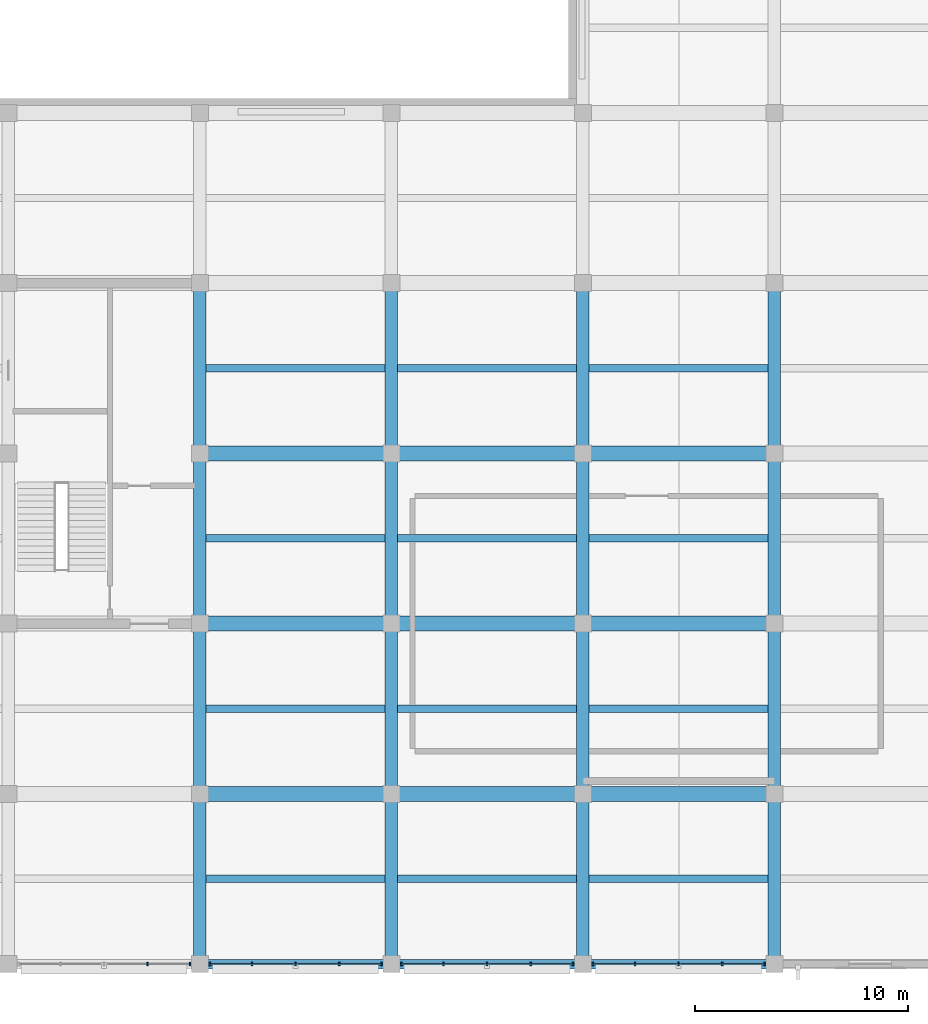
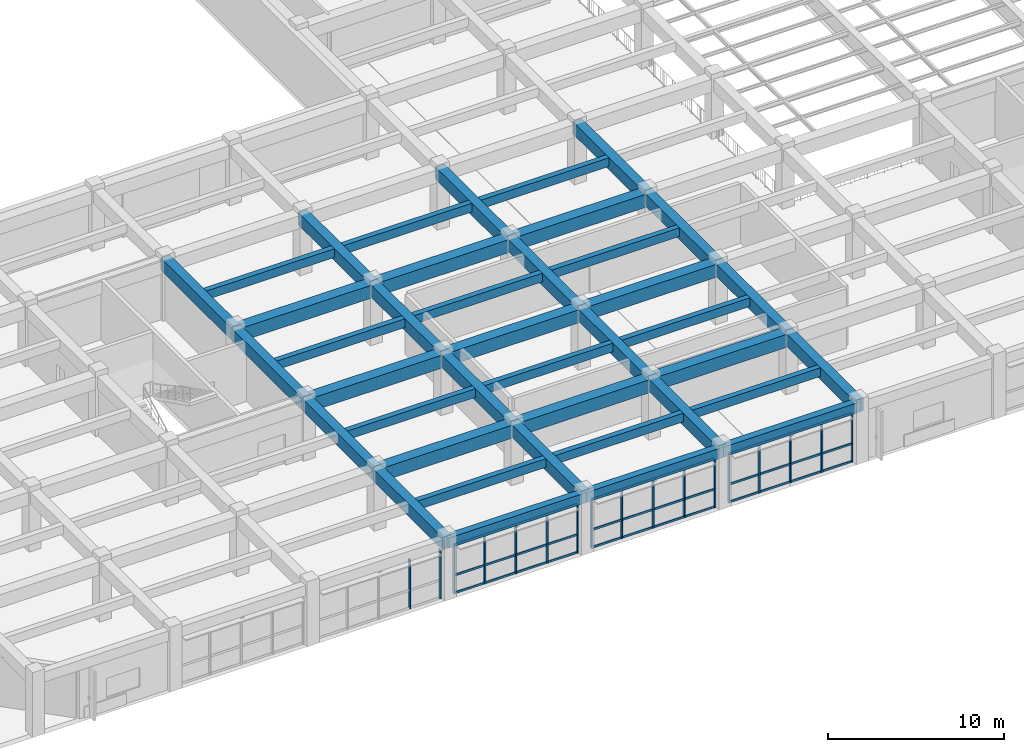
# One storey, part 5 of 50: 40 beams, 26 members, 4 elements without a shape of their own.
"""IFC4 building model written with IfcOpenShell, lengths in metres."""

from ifc_helpers import new_model, si_unit, direction, frame, origin, origin_2d, place, context, subcontext, project, spatial, rectangle, extrude, material, material_profile, profile_set, type_object, element, aggregate, save


model = new_model("IFC4")

# Units and contexts
model_context = context("Model", 3, precision=1e-05, world=origin(), true_north=direction((0.0, 1.0)))
body_context = subcontext(model_context, "Body", "Model", "MODEL_VIEW")
ifc_project = project(units=[si_unit("LENGTHUNIT", "METRE"), si_unit("AREAUNIT", "SQUARE_METRE"), si_unit("VOLUMEUNIT", "CUBIC_METRE"), si_unit("PLANEANGLEUNIT", "RADIAN"), si_unit("MASSUNIT", "GRAM", prefix="KILO")], contexts=[model_context])

# Site, building, storey
site_placement = place(None, origin())
site = spatial("IfcSite", under=ifc_project, at=site_placement, CompositionType="ELEMENT")
building_placement = place(site_placement, origin())
building = spatial("IfcBuilding", under=site, at=building_placement, Name="Zaverband Oceanarium and Marine Research Institute", CompositionType="ELEMENT")
storey_placement = place(building_placement, frame((0.0, 0.0, 9.0)))
storey = spatial("IfcBuildingStorey", under=building, at=storey_placement, Name="L02", CompositionType="ELEMENT", Elevation=9.0)

# Beams
ifc_material_1 = material(Name="Concrete C40/50", Category="concrete")
ifc_material_profile_1 = material_profile(ifc_material_1, rectangle(XDim=0.60009765625, YDim=0.85009765625, at=origin_2d()), Name="RC600x850")
ifc_profile_set_1 = profile_set([ifc_material_profile_1], Name="Concrete C40/50")
beam_type_1 = type_object("IfcBeamType", Name="BM-600x850", PredefinedType="BEAM", material=ifc_profile_set_1)
for number, where, z_axis, x_axis, name in (
    (1, (36.0, 0.0, 3.715087890625), (0.0, 1.0, 0.0), (-1.0, 0.0, 0.0), "Primary floor girder BM-600x850"),
    (2, (36.0, 8.0, 3.715087890625), (0.0, 1.0, 0.0), (-1.0, 0.0, 0.0), "Primary floor girder BM-600x850"),
    (3, (36.0, 16.0, 3.715087890625), (0.0, 1.0, 0.0), (-1.0, 0.0, 0.0), "Primary floor girder BM-600x850"),
    (4, (36.0, 24.0, 3.715087890625), (0.0, 1.0, 0.0), (-1.0, 0.0, 0.0), "Primary floor girder BM-600x850"),
    (5, (45.0, 0.0, 3.715087890625), (0.0, 1.0, 0.0), (-1.0, 0.0, 0.0), "Primary floor girder BM-600x850"),
    (6, (45.0, 8.0, 3.715087890625), (0.0, 1.0, 0.0), (-1.0, 0.0, 0.0), "Primary floor girder BM-600x850"),
    (7, (45.0, 16.0, 3.715087890625), (0.0, 1.0, 0.0), (-1.0, 0.0, 0.0), "Primary floor girder BM-600x850"),
    (8, (45.0, 24.0, 3.715087890625), (0.0, 1.0, 0.0), (-1.0, 0.0, 0.0), "Primary floor girder BM-600x850"),
    (9, (54.0, 0.0, 3.715087890625), (0.0, 1.0, 0.0), (-1.0, 0.0, 0.0), "Primary floor girder BM-600x850"),
    (10, (54.0, 8.0, 3.715087890625), (0.0, 1.0, 0.0), (-1.0, 0.0, 0.0), "Primary floor girder BM-600x850"),
    (11, (54.0, 16.0, 3.715087890625), (0.0, 1.0, 0.0), (-1.0, 0.0, 0.0), "Primary floor girder BM-600x850"),
    (12, (54.0, 24.0, 3.715087890625), (0.0, 1.0, 0.0), (-1.0, 0.0, 0.0), "Primary floor girder BM-600x850"),
    (13, (63.0, 0.0, 3.715087890625), (0.0, 1.0, 0.0), (-1.0, 0.0, 0.0), "Primary floor girder BM-600x850"),
    (14, (63.0, 8.0, 3.715087890625), (0.0, 1.0, 0.0), (-1.0, 0.0, 0.0), "Primary floor girder BM-600x850"),
    (15, (63.0, 16.0, 3.715087890625), (0.0, 1.0, 0.0), (-1.0, 0.0, 0.0), "Primary floor girder BM-600x850"),
    (16, (63.0, 24.0, 3.715087890625), (0.0, 1.0, 0.0), (-1.0, 0.0, 0.0), "Primary floor girder BM-600x850"),
):
    element("IfcBeam", number, at=place(storey_placement, frame(where, z_axis=z_axis, x_axis=x_axis)), inside=storey, type_object=beam_type_1, Name=name, PredefinedType="BEAM", context=body_context, shape_type="SweptSolid", body=[
        extrude(rectangle(XDim=0.60009765625, YDim=0.85009765625, at=origin_2d()), origin(), (0.0, 0.0, 1.0), 8.0),
    ])
ifc_material_profile_2 = material_profile(ifc_material_1, rectangle(XDim=0.699951171875, YDim=0.89990234375, at=origin_2d()), Name="RC700x900")
ifc_profile_set_2 = profile_set([ifc_material_profile_2], Name="Concrete C40/50")
beam_type_2 = type_object("IfcBeamType", Name="BM-700x900", PredefinedType="BEAM", material=ifc_profile_set_2)
for number, where, z_axis, x_axis, name in (
    (17, (36.0, 8.0, 3.68994140625), (1.0, 0.0, 0.0), (0.0, 1.0, 0.0), "Primary floor girder BM-700x900"),
    (18, (45.0, 8.0, 3.68994140625), (1.0, 0.0, 0.0), (0.0, 1.0, 0.0), "Primary floor girder BM-700x900"),
    (19, (54.0, 8.0, 3.68994140625), (1.0, 0.0, 0.0), (0.0, 1.0, 0.0), "Primary floor girder BM-700x900"),
    (20, (36.0, 16.0, 3.68994140625), (1.0, 0.0, 0.0), (0.0, 1.0, 0.0), "Primary floor girder BM-700x900"),
    (21, (45.0, 16.0, 3.68994140625), (1.0, 0.0, 0.0), (0.0, 1.0, 0.0), "Primary floor girder BM-700x900"),
    (22, (54.0, 16.0, 3.68994140625), (1.0, 0.0, 0.0), (0.0, 1.0, 0.0), "Primary floor girder BM-700x900"),
    (23, (36.0, 24.0, 3.68994140625), (1.0, 0.0, 0.0), (0.0, 1.0, 0.0), "Primary floor girder BM-700x900"),
    (24, (45.0, 24.0, 3.68994140625), (1.0, 0.0, 0.0), (0.0, 1.0, 0.0), "Primary floor girder BM-700x900"),
    (25, (54.0, 24.0, 3.68994140625), (1.0, 0.0, 0.0), (0.0, 1.0, 0.0), "Primary floor girder BM-700x900"),
):
    element("IfcBeam", number, at=place(storey_placement, frame(where, z_axis=z_axis, x_axis=x_axis)), inside=storey, type_object=beam_type_2, Name=name, PredefinedType="BEAM", context=body_context, shape_type="SweptSolid", body=[
        extrude(rectangle(XDim=0.699951171875, YDim=0.89990234375, at=origin_2d()), origin(), (0.0, 0.0, 1.0), 9.0),
    ])
ifc_material_profile_3 = material_profile(ifc_material_1, rectangle(XDim=0.35009765625, YDim=0.60009765625, at=origin_2d()), Name="RC350x600")
ifc_profile_set_3 = profile_set([ifc_material_profile_3], Name="Concrete C40/50")
beam_type_3 = type_object("IfcBeamType", Name="JST-350x600", PredefinedType="JOIST", material=ifc_profile_set_3)
for number, where, z_axis, x_axis, name in (
    (26, (36.300048828125, 4.0, 3.840087890625), (1.0, 0.0, 0.0), (0.0, 1.0, 0.0), "Secondary floor joist JST-350x600"),
    (27, (36.300048828125, 12.0, 3.840087890625), (1.0, 0.0, 0.0), (0.0, 1.0, 0.0), "Secondary floor joist JST-350x600"),
    (28, (36.300048828125, 20.0, 3.840087890625), (1.0, 0.0, 0.0), (0.0, 1.0, 0.0), "Secondary floor joist JST-350x600"),
    (29, (36.300048828125, 28.0, 3.840087890625), (1.0, 0.0, 0.0), (0.0, 1.0, 0.0), "Secondary floor joist JST-350x600"),
    (30, (45.300048828125, 4.0, 3.840087890625), (1.0, 0.0, 0.0), (0.0, 1.0, 0.0), "Secondary floor joist JST-350x600"),
    (31, (45.300048828125, 12.0, 3.840087890625), (1.0, 0.0, 0.0), (0.0, 1.0, 0.0), "Secondary floor joist JST-350x600"),
    (32, (45.300048828125, 20.0, 3.840087890625), (1.0, 0.0, 0.0), (0.0, 1.0, 0.0), "Secondary floor joist JST-350x600"),
    (33, (45.300048828125, 28.0, 3.840087890625), (1.0, 0.0, 0.0), (0.0, 1.0, 0.0), "Secondary floor joist JST-350x600"),
    (34, (54.300048828125, 4.0, 3.840087890625), (1.0, 0.0, 0.0), (0.0, 1.0, 0.0), "Secondary floor joist JST-350x600"),
    (35, (54.300048828125, 12.0, 3.840087890625), (1.0, 0.0, 0.0), (0.0, 1.0, 0.0), "Secondary floor joist JST-350x600"),
    (36, (54.300048828125, 20.0, 3.840087890625), (1.0, 0.0, 0.0), (0.0, 1.0, 0.0), "Secondary floor joist JST-350x600"),
    (37, (54.300048828125, 28.0, 3.840087890625), (1.0, 0.0, 0.0), (0.0, 1.0, 0.0), "Secondary floor joist JST-350x600"),
):
    element("IfcBeam", number, at=place(storey_placement, frame(where, z_axis=z_axis, x_axis=x_axis)), inside=storey, type_object=beam_type_3, Name=name, PredefinedType="JOIST", context=body_context, shape_type="SweptSolid", body=[
        extrude(rectangle(XDim=0.35009765625, YDim=0.60009765625, at=origin_2d()), origin(), (0.0, 0.0, 1.0), 8.39990234375),
    ])

# Curtain wall, members
ifc_material_2 = material(Name="Thermally broken anodized aluminium and solar-control glass", Category="aluminium")
curtain_wall_type = type_object("IfcCurtainWallType", Name="CW-UNIT-1800", PredefinedType="NOTDEFINED", material=ifc_material_2)
curtain_wall_1_placement = place(storey_placement, origin())
curtain_wall_1 = element("IfcCurtainWall", 38, at=curtain_wall_1_placement, inside=storey, type_object=curtain_wall_type, Name="Unitised glazed curtain wall CW-036", PredefinedType="NOTDEFINED")
ifc_material_3 = material(Name="Thermally broken anodized aluminium", Category="aluminium")
ifc_material_profile_4 = material_profile(ifc_material_3, rectangle(XDim=0.080078125, YDim=0.179931640625, at=origin_2d()), Name="AL-MUL-80x180")
ifc_profile_set_4 = profile_set([ifc_material_profile_4], Name="Thermally broken anodized aluminium")
member_type_1 = type_object("IfcMemberType", Name="MUL-80x180", PredefinedType="MULLION", material=ifc_profile_set_4)
member_1_placement = place(storey_placement, frame((33.547607421875, 0.0, 0.0), z_axis=(0.0, 0.0, 1.0), x_axis=(1.0, 0.0, 0.0)))
member_1 = element("IfcMember", 39, at=member_1_placement, type_object=member_type_1, Name="Curtain wall vertical mullion MUL-80x180", PredefinedType="MULLION", context=body_context, shape_type="SweptSolid", body=[
    extrude(rectangle(XDim=0.080078125, YDim=0.179931640625, at=origin_2d()), origin(), (0.0, 0.0, 1.0), 3.419921875),
])
member_2_placement = place(storey_placement, frame((35.534912109375, 0.0, 0.0), z_axis=(0.0, 0.0, 1.0), x_axis=(1.0, 0.0, 0.0)))
member_2 = element("IfcMember", 40, at=member_2_placement, type_object=member_type_1, Name="Curtain wall vertical mullion MUL-80x180", PredefinedType="MULLION", context=body_context, shape_type="SweptSolid", body=[
    extrude(rectangle(XDim=0.080078125, YDim=0.179931640625, at=origin_2d()), origin(), (0.0, 0.0, 1.0), 3.419921875),
])
aggregate(curtain_wall_1, [member_1, member_2])

curtain_wall_2_placement = place(storey_placement, origin())
curtain_wall_2 = element("IfcCurtainWall", 41, at=curtain_wall_2_placement, inside=storey, type_object=curtain_wall_type, Name="Unitised glazed curtain wall CW-037", PredefinedType="NOTDEFINED")
member_3_placement = place(storey_placement, frame((36.465087890625, 0.0, 0.0), z_axis=(0.0, 0.0, 1.0), x_axis=(1.0, 0.0, 0.0)))
member_3 = element("IfcMember", 42, at=member_3_placement, type_object=member_type_1, Name="Curtain wall vertical mullion MUL-80x180", PredefinedType="MULLION", context=body_context, shape_type="SweptSolid", body=[
    extrude(rectangle(XDim=0.080078125, YDim=0.179931640625, at=origin_2d()), origin(), (0.0, 0.0, 1.0), 3.419921875),
])
member_4_placement = place(storey_placement, frame((38.452392578125, 0.0, 0.0), z_axis=(0.0, 0.0, 1.0), x_axis=(1.0, 0.0, 0.0)))
member_4 = element("IfcMember", 43, at=member_4_placement, type_object=member_type_1, Name="Curtain wall vertical mullion MUL-80x180", PredefinedType="MULLION", context=body_context, shape_type="SweptSolid", body=[
    extrude(rectangle(XDim=0.080078125, YDim=0.179931640625, at=origin_2d()), origin(), (0.0, 0.0, 1.0), 3.419921875),
])
member_5_placement = place(storey_placement, frame((40.5, 0.0, 0.0), z_axis=(0.0, 0.0, 1.0), x_axis=(1.0, 0.0, 0.0)))
member_5 = element("IfcMember", 44, at=member_5_placement, type_object=member_type_1, Name="Curtain wall vertical mullion MUL-80x180", PredefinedType="MULLION", context=body_context, shape_type="SweptSolid", body=[
    extrude(rectangle(XDim=0.080078125, YDim=0.179931640625, at=origin_2d()), origin(), (0.0, 0.0, 1.0), 3.419921875),
])
member_6_placement = place(storey_placement, frame((42.547607421875, 0.0, 0.0), z_axis=(0.0, 0.0, 1.0), x_axis=(1.0, 0.0, 0.0)))
member_6 = element("IfcMember", 45, at=member_6_placement, type_object=member_type_1, Name="Curtain wall vertical mullion MUL-80x180", PredefinedType="MULLION", context=body_context, shape_type="SweptSolid", body=[
    extrude(rectangle(XDim=0.080078125, YDim=0.179931640625, at=origin_2d()), origin(), (0.0, 0.0, 1.0), 3.419921875),
])
member_7_placement = place(storey_placement, frame((44.534912109375, 0.0, 0.0), z_axis=(0.0, 0.0, 1.0), x_axis=(1.0, 0.0, 0.0)))
member_7 = element("IfcMember", 46, at=member_7_placement, type_object=member_type_1, Name="Curtain wall vertical mullion MUL-80x180", PredefinedType="MULLION", context=body_context, shape_type="SweptSolid", body=[
    extrude(rectangle(XDim=0.080078125, YDim=0.179931640625, at=origin_2d()), origin(), (0.0, 0.0, 1.0), 3.419921875),
])

curtain_wall_3_placement = place(storey_placement, origin())
curtain_wall_3 = element("IfcCurtainWall", 47, at=curtain_wall_3_placement, inside=storey, type_object=curtain_wall_type, Name="Unitised glazed curtain wall CW-038", PredefinedType="NOTDEFINED")
member_8_placement = place(storey_placement, frame((45.465087890625, 0.0, 0.0), z_axis=(0.0, 0.0, 1.0), x_axis=(1.0, 0.0, 0.0)))
member_8 = element("IfcMember", 48, at=member_8_placement, type_object=member_type_1, Name="Curtain wall vertical mullion MUL-80x180", PredefinedType="MULLION", context=body_context, shape_type="SweptSolid", body=[
    extrude(rectangle(XDim=0.080078125, YDim=0.179931640625, at=origin_2d()), origin(), (0.0, 0.0, 1.0), 3.419921875),
])
member_9_placement = place(storey_placement, frame((47.452392578125, 0.0, 0.0), z_axis=(0.0, 0.0, 1.0), x_axis=(1.0, 0.0, 0.0)))
member_9 = element("IfcMember", 49, at=member_9_placement, type_object=member_type_1, Name="Curtain wall vertical mullion MUL-80x180", PredefinedType="MULLION", context=body_context, shape_type="SweptSolid", body=[
    extrude(rectangle(XDim=0.080078125, YDim=0.179931640625, at=origin_2d()), origin(), (0.0, 0.0, 1.0), 3.419921875),
])
member_10_placement = place(storey_placement, frame((49.5, 0.0, 0.0), z_axis=(0.0, 0.0, 1.0), x_axis=(1.0, 0.0, 0.0)))
member_10 = element("IfcMember", 50, at=member_10_placement, type_object=member_type_1, Name="Curtain wall vertical mullion MUL-80x180", PredefinedType="MULLION", context=body_context, shape_type="SweptSolid", body=[
    extrude(rectangle(XDim=0.080078125, YDim=0.179931640625, at=origin_2d()), origin(), (0.0, 0.0, 1.0), 3.419921875),
])
member_11_placement = place(storey_placement, frame((51.547607421875, 0.0, 0.0), z_axis=(0.0, 0.0, 1.0), x_axis=(1.0, 0.0, 0.0)))
member_11 = element("IfcMember", 51, at=member_11_placement, type_object=member_type_1, Name="Curtain wall vertical mullion MUL-80x180", PredefinedType="MULLION", context=body_context, shape_type="SweptSolid", body=[
    extrude(rectangle(XDim=0.080078125, YDim=0.179931640625, at=origin_2d()), origin(), (0.0, 0.0, 1.0), 3.419921875),
])
member_12_placement = place(storey_placement, frame((53.534912109375, 0.0, 0.0), z_axis=(0.0, 0.0, 1.0), x_axis=(1.0, 0.0, 0.0)))
member_12 = element("IfcMember", 52, at=member_12_placement, type_object=member_type_1, Name="Curtain wall vertical mullion MUL-80x180", PredefinedType="MULLION", context=body_context, shape_type="SweptSolid", body=[
    extrude(rectangle(XDim=0.080078125, YDim=0.179931640625, at=origin_2d()), origin(), (0.0, 0.0, 1.0), 3.419921875),
])

curtain_wall_4_placement = place(storey_placement, origin())
curtain_wall_4 = element("IfcCurtainWall", 53, at=curtain_wall_4_placement, inside=storey, type_object=curtain_wall_type, Name="Unitised glazed curtain wall CW-039", PredefinedType="NOTDEFINED")
member_13_placement = place(storey_placement, frame((54.465087890625, 0.0, 0.0), z_axis=(0.0, 0.0, 1.0), x_axis=(1.0, 0.0, 0.0)))
member_13 = element("IfcMember", 54, at=member_13_placement, type_object=member_type_1, Name="Curtain wall vertical mullion MUL-80x180", PredefinedType="MULLION", context=body_context, shape_type="SweptSolid", body=[
    extrude(rectangle(XDim=0.080078125, YDim=0.179931640625, at=origin_2d()), origin(), (0.0, 0.0, 1.0), 3.419921875),
])
member_14_placement = place(storey_placement, frame((56.452392578125, 0.0, 0.0), z_axis=(0.0, 0.0, 1.0), x_axis=(1.0, 0.0, 0.0)))
member_14 = element("IfcMember", 55, at=member_14_placement, type_object=member_type_1, Name="Curtain wall vertical mullion MUL-80x180", PredefinedType="MULLION", context=body_context, shape_type="SweptSolid", body=[
    extrude(rectangle(XDim=0.080078125, YDim=0.179931640625, at=origin_2d()), origin(), (0.0, 0.0, 1.0), 3.419921875),
])
member_15_placement = place(storey_placement, frame((58.5, 0.0, 0.0), z_axis=(0.0, 0.0, 1.0), x_axis=(1.0, 0.0, 0.0)))
member_15 = element("IfcMember", 56, at=member_15_placement, type_object=member_type_1, Name="Curtain wall vertical mullion MUL-80x180", PredefinedType="MULLION", context=body_context, shape_type="SweptSolid", body=[
    extrude(rectangle(XDim=0.080078125, YDim=0.179931640625, at=origin_2d()), origin(), (0.0, 0.0, 1.0), 3.419921875),
])
member_16_placement = place(storey_placement, frame((60.547607421875, 0.0, 0.0), z_axis=(0.0, 0.0, 1.0), x_axis=(1.0, 0.0, 0.0)))
member_16 = element("IfcMember", 57, at=member_16_placement, type_object=member_type_1, Name="Curtain wall vertical mullion MUL-80x180", PredefinedType="MULLION", context=body_context, shape_type="SweptSolid", body=[
    extrude(rectangle(XDim=0.080078125, YDim=0.179931640625, at=origin_2d()), origin(), (0.0, 0.0, 1.0), 3.419921875),
])
member_17_placement = place(storey_placement, frame((62.534912109375, 0.0, 0.0), z_axis=(0.0, 0.0, 1.0), x_axis=(1.0, 0.0, 0.0)))
member_17 = element("IfcMember", 58, at=member_17_placement, type_object=member_type_1, Name="Curtain wall vertical mullion MUL-80x180", PredefinedType="MULLION", context=body_context, shape_type="SweptSolid", body=[
    extrude(rectangle(XDim=0.080078125, YDim=0.179931640625, at=origin_2d()), origin(), (0.0, 0.0, 1.0), 3.419921875),
])

# Beams
ifc_material_profile_5 = material_profile(ifc_material_1, rectangle(XDim=0.449951171875, YDim=0.699951171875, at=origin_2d()), Name="RC450x700")
ifc_profile_set_5 = profile_set([ifc_material_profile_5], Name="Concrete C40/50")
beam_type_4 = type_object("IfcBeamType", Name="SPN-450x700", PredefinedType="SPANDREL", material=ifc_profile_set_5)
for number, where, z_axis, x_axis, name in (
    (59, (36.0, 0.0, 3.7900390625), (1.0, 0.0, 0.0), (0.0, 1.0, 0.0), "Perimeter spandrel beam SPN-450x700"),
    (60, (45.0, 0.0, 3.7900390625), (1.0, 0.0, 0.0), (0.0, 1.0, 0.0), "Perimeter spandrel beam SPN-450x700"),
    (61, (54.0, 0.0, 3.7900390625), (1.0, 0.0, 0.0), (0.0, 1.0, 0.0), "Perimeter spandrel beam SPN-450x700"),
):
    element("IfcBeam", number, at=place(storey_placement, frame(where, z_axis=z_axis, x_axis=x_axis)), inside=storey, type_object=beam_type_4, Name=name, PredefinedType="SPANDREL", context=body_context, shape_type="SweptSolid", body=[
        extrude(rectangle(XDim=0.449951171875, YDim=0.699951171875, at=origin_2d()), origin(), (0.0, 0.0, 1.0), 9.0),
    ])

# Member
ifc_material_profile_6 = material_profile(ifc_material_3, rectangle(XDim=0.080078125, YDim=0.139892578125, at=origin_2d()), Name="AL-TRN-80x140")
ifc_profile_set_6 = profile_set([ifc_material_profile_6], Name="Thermally broken anodized aluminium")
member_type_2 = type_object("IfcMemberType", Name="TRN-80x140", PredefinedType="USERDEFINED", material=ifc_profile_set_6)
member_18_placement = place(storey_placement, frame((36.465087890625, 0.0, 0.050048828125), z_axis=(1.0, 0.0, 0.0), x_axis=(0.0, 1.0, 0.0)))
member_18 = element("IfcMember", 62, at=member_18_placement, type_object=member_type_2, Name="Curtain wall horizontal transom TRN-80x140", ObjectType="TRANSOM", PredefinedType="USERDEFINED", context=body_context, shape_type="SweptSolid", body=[
    extrude(rectangle(XDim=0.080078125, YDim=0.139892578125, at=origin_2d()), origin(), (0.0, 0.0, 1.0), 8.06982421875),
])

member_19_placement = place(storey_placement, frame((36.465087890625, 0.0, 1.277099609375), z_axis=(1.0, 0.0, 0.0), x_axis=(0.0, 1.0, 0.0)))
member_19 = element("IfcMember", 63, at=member_19_placement, type_object=member_type_2, Name="Curtain wall horizontal transom TRN-80x140", ObjectType="TRANSOM", PredefinedType="USERDEFINED", context=body_context, shape_type="SweptSolid", body=[
    extrude(rectangle(XDim=0.080078125, YDim=0.139892578125, at=origin_2d()), origin(), (0.0, 0.0, 1.0), 8.06982421875),
])

member_20_placement = place(storey_placement, frame((36.465087890625, 0.0, 3.3701171875), z_axis=(1.0, 0.0, 0.0), x_axis=(0.0, 1.0, 0.0)))
member_20 = element("IfcMember", 64, at=member_20_placement, type_object=member_type_2, Name="Curtain wall horizontal transom TRN-80x140", ObjectType="TRANSOM", PredefinedType="USERDEFINED", context=body_context, shape_type="SweptSolid", body=[
    extrude(rectangle(XDim=0.080078125, YDim=0.139892578125, at=origin_2d()), origin(), (0.0, 0.0, 1.0), 8.06982421875),
])

aggregate(curtain_wall_2, [member_3, member_4, member_5, member_6, member_7, member_18, member_19, member_20])

member_21_placement = place(storey_placement, frame((45.465087890625, 0.0, 0.050048828125), z_axis=(1.0, 0.0, 0.0), x_axis=(0.0, 1.0, 0.0)))
member_21 = element("IfcMember", 65, at=member_21_placement, type_object=member_type_2, Name="Curtain wall horizontal transom TRN-80x140", ObjectType="TRANSOM", PredefinedType="USERDEFINED", context=body_context, shape_type="SweptSolid", body=[
    extrude(rectangle(XDim=0.080078125, YDim=0.139892578125, at=origin_2d()), origin(), (0.0, 0.0, 1.0), 8.06982421875),
])

member_22_placement = place(storey_placement, frame((45.465087890625, 0.0, 1.277099609375), z_axis=(1.0, 0.0, 0.0), x_axis=(0.0, 1.0, 0.0)))
member_22 = element("IfcMember", 66, at=member_22_placement, type_object=member_type_2, Name="Curtain wall horizontal transom TRN-80x140", ObjectType="TRANSOM", PredefinedType="USERDEFINED", context=body_context, shape_type="SweptSolid", body=[
    extrude(rectangle(XDim=0.080078125, YDim=0.139892578125, at=origin_2d()), origin(), (0.0, 0.0, 1.0), 8.06982421875),
])

member_23_placement = place(storey_placement, frame((45.465087890625, 0.0, 3.3701171875), z_axis=(1.0, 0.0, 0.0), x_axis=(0.0, 1.0, 0.0)))
member_23 = element("IfcMember", 67, at=member_23_placement, type_object=member_type_2, Name="Curtain wall horizontal transom TRN-80x140", ObjectType="TRANSOM", PredefinedType="USERDEFINED", context=body_context, shape_type="SweptSolid", body=[
    extrude(rectangle(XDim=0.080078125, YDim=0.139892578125, at=origin_2d()), origin(), (0.0, 0.0, 1.0), 8.06982421875),
])

aggregate(curtain_wall_3, [member_8, member_9, member_10, member_11, member_12, member_21, member_22, member_23])

member_24_placement = place(storey_placement, frame((54.465087890625, 0.0, 0.050048828125), z_axis=(1.0, 0.0, 0.0), x_axis=(0.0, 1.0, 0.0)))
member_24 = element("IfcMember", 68, at=member_24_placement, type_object=member_type_2, Name="Curtain wall horizontal transom TRN-80x140", ObjectType="TRANSOM", PredefinedType="USERDEFINED", context=body_context, shape_type="SweptSolid", body=[
    extrude(rectangle(XDim=0.080078125, YDim=0.139892578125, at=origin_2d()), origin(), (0.0, 0.0, 1.0), 8.06982421875),
])

member_25_placement = place(storey_placement, frame((54.465087890625, 0.0, 1.277099609375), z_axis=(1.0, 0.0, 0.0), x_axis=(0.0, 1.0, 0.0)))
member_25 = element("IfcMember", 69, at=member_25_placement, type_object=member_type_2, Name="Curtain wall horizontal transom TRN-80x140", ObjectType="TRANSOM", PredefinedType="USERDEFINED", context=body_context, shape_type="SweptSolid", body=[
    extrude(rectangle(XDim=0.080078125, YDim=0.139892578125, at=origin_2d()), origin(), (0.0, 0.0, 1.0), 8.06982421875),
])

member_26_placement = place(storey_placement, frame((54.465087890625, 0.0, 3.3701171875), z_axis=(1.0, 0.0, 0.0), x_axis=(0.0, 1.0, 0.0)))
member_26 = element("IfcMember", 70, at=member_26_placement, type_object=member_type_2, Name="Curtain wall horizontal transom TRN-80x140", ObjectType="TRANSOM", PredefinedType="USERDEFINED", context=body_context, shape_type="SweptSolid", body=[
    extrude(rectangle(XDim=0.080078125, YDim=0.139892578125, at=origin_2d()), origin(), (0.0, 0.0, 1.0), 8.06982421875),
])

aggregate(curtain_wall_4, [member_13, member_14, member_15, member_16, member_17, member_24, member_25, member_26])

save(model, "model.ifc")
